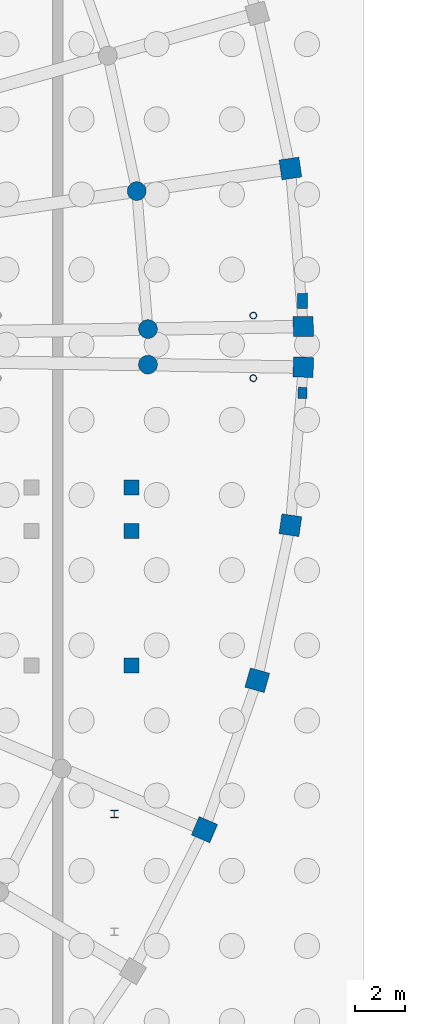
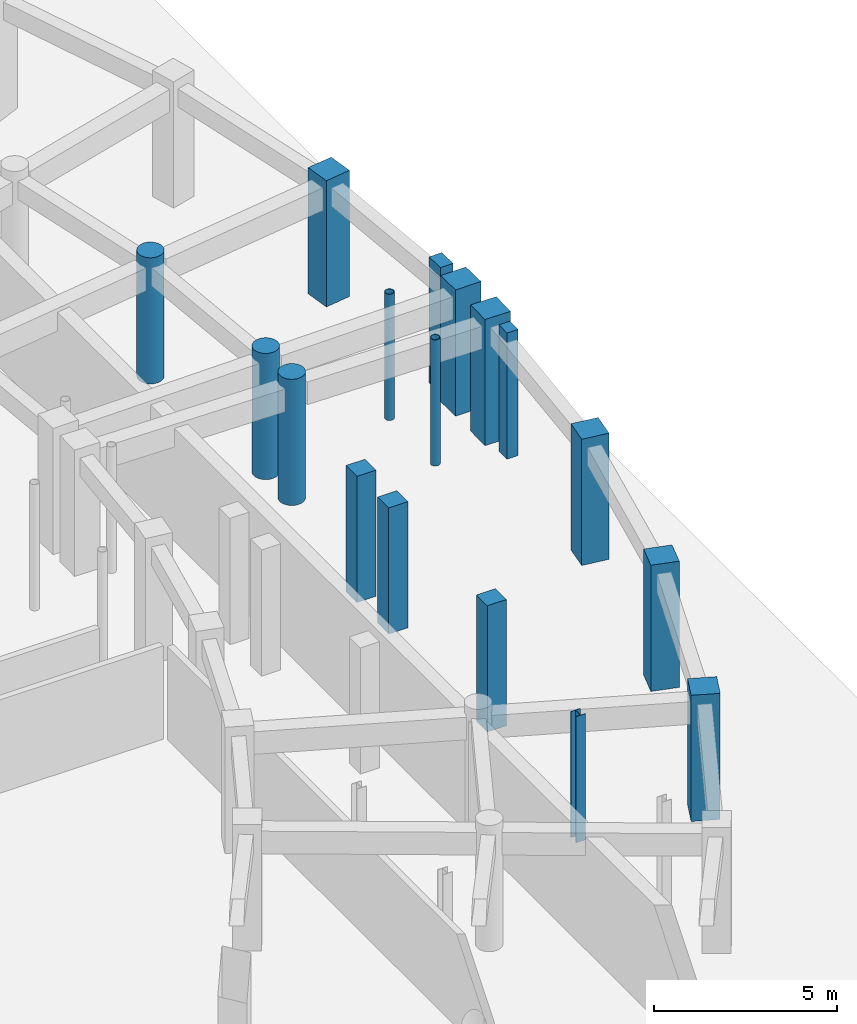
# One storey, part 16 of 33: 17 columns.
"""IFC4 building model written with IfcOpenShell, lengths in metres."""

from ifc_helpers import new_model, si_unit, direction, frame, origin, origin_2d, place, context, subcontext, project, spatial, rectangle, circle, hollow_circle, i_section, extrude, material, material_profile, profile_set, type_object, element, save


model = new_model("IFC4")

# Units and contexts
model_context = context("Model", 3, precision=1e-05, world=origin(), true_north=direction((0.0, 1.0)))
body_context = subcontext(model_context, "Body", "Model", "MODEL_VIEW")
ifc_project = project(units=[si_unit("LENGTHUNIT", "METRE"), si_unit("AREAUNIT", "SQUARE_METRE"), si_unit("VOLUMEUNIT", "CUBIC_METRE"), si_unit("PLANEANGLEUNIT", "RADIAN"), si_unit("MASSUNIT", "GRAM", prefix="KILO")], contexts=[model_context])

# Site, building, storey
site_placement = place(None, origin())
site = spatial("IfcSite", under=ifc_project, at=site_placement, CompositionType="ELEMENT")
building_placement = place(site_placement, origin())
building = spatial("IfcBuilding", under=site, at=building_placement, Name="Saryqyr Civic Hall", CompositionType="ELEMENT")
storey_placement = place(building_placement, frame((0.0, 0.0, -4.199951171875)))
storey = spatial("IfcBuildingStorey", under=building, at=storey_placement, Name="B1", CompositionType="ELEMENT", Elevation=-4.199951171875)

# Columns
ifc_material_1 = material(Name="Steel S355", Category="steel")
ifc_material_profile_1 = material_profile(ifc_material_1, hollow_circle(Radius=0.136474609375, WallThickness=0.01611328125, at=origin_2d()), Name="CHS 273x16")
ifc_profile_set_1 = profile_set([ifc_material_profile_1], Name="Steel S355")
column_type_1 = type_object("IfcColumnType", Name="STR-COL-CHS273-S355", PredefinedType="COLUMN", material=ifc_profile_set_1)
for number, where, z_axis, x_axis, name in (
    (1, (104.0, 82.75, 0.0), (0.0, 0.0, 1.0), (1.0, 0.0, 0.0), "Column BRCOL-BR-E-2-B1"),
    (2, (104.0, 85.25, 0.0), (0.0, 0.0, 1.0), (1.0, 0.0, 0.0), "Column BRCOL-BR-E-3-B1"),
):
    element("IfcColumn", number, at=place(storey_placement, frame(where, z_axis=z_axis, x_axis=x_axis)), inside=storey, type_object=column_type_1, Name=name, PredefinedType="COLUMN", context=body_context, shape_type="SweptSolid", body=[
        extrude(hollow_circle(Radius=0.136474609375, WallThickness=0.01611328125, at=origin_2d()), origin(), (0.0, 0.0, 1.0), 4.199951171875),
    ])
ifc_material_profile_2 = material_profile(ifc_material_1, i_section(OverallWidth=0.300048828125, OverallDepth=0.2900390625, WebThickness=0.008544921875, FlangeThickness=0.013916015625, at=origin_2d()), Name="HEA 300")
ifc_profile_set_2 = profile_set([ifc_material_profile_2], Name="Steel S355")
column_type_2 = type_object("IfcColumnType", Name="STR-COL-HEA300-S355", PredefinedType="COLUMN", material=ifc_profile_set_2)
column_1_placement = place(storey_placement, frame((98.449951171875, 65.35009765625, 0.0), z_axis=(0.0, 0.0, 1.0), x_axis=(1.0, 0.0, 0.0)))
element("IfcColumn", 3, at=column_1_placement, inside=storey, type_object=column_type_2, Name="Column RGV5-COL-3-B1", PredefinedType="COLUMN", context=body_context, shape_type="SweptSolid", body=[
    extrude(i_section(OverallWidth=0.300048828125, OverallDepth=0.2900390625, WebThickness=0.008544921875, FlangeThickness=0.013916015625, at=origin_2d()), origin(), (0.0, 0.0, 1.0), 4.199951171875),
])
ifc_material_2 = material(Name="Concrete C40/50", Category="concrete")
ifc_material_profile_3 = material_profile(ifc_material_2, rectangle(XDim=0.60009765625, YDim=0.60009765625, at=origin_2d()), Name="RC 600x600")
ifc_profile_set_3 = profile_set([ifc_material_profile_3], Name="Concrete C40/50")
column_type_3 = type_object("IfcColumnType", Name="STR-COL-RC600-C40", PredefinedType="COLUMN", material=ifc_profile_set_3)
for number, where, z_axis, x_axis, name in (
    (4, (99.139892578125, 71.27490234375, 0.0), (0.0, 0.0, 1.0), (1.0, 0.0, 0.0), "Column ST-5-SCOL-TRMA-B1"),
    (5, (99.139892578125, 76.64990234375, 0.0), (0.0, 0.0, 1.0), (1.0, 0.0, 0.0), "Column ST-5-SCOL-LND1A-B1"),
    (6, (99.139892578125, 78.3798828125, 0.0), (0.0, 0.0, 1.0), (1.0, 0.0, 0.0), "Column ST-5-SCOL-LND2A-B1"),
):
    element("IfcColumn", number, at=place(storey_placement, frame(where, z_axis=z_axis, x_axis=x_axis)), inside=storey, type_object=column_type_3, Name=name, PredefinedType="COLUMN", context=body_context, shape_type="SweptSolid", body=[
        extrude(rectangle(XDim=0.60009765625, YDim=0.60009765625, at=origin_2d()), origin(), (0.0, 0.0, 1.0), 4.199951171875),
    ])
ifc_material_profile_4 = material_profile(ifc_material_2, rectangle(XDim=0.800048828125, YDim=0.800048828125, at=origin_2d()), Name="RC 800x800")
ifc_profile_set_4 = profile_set([ifc_material_profile_4], Name="Concrete C40/50")
column_type_4 = type_object("IfcColumnType", Name="STR-COL-RC800-C40", PredefinedType="COLUMN", material=ifc_profile_set_4)
for number, where, z_axis, x_axis, name in (
    (7, (102.04931640625, 64.724365234375, 0.0), (0.0, 0.0, 1.0), (0.919410138581, -0.393300136124, 0.0), "Column V5-COL-OUT07-B1"),
    (8, (104.157958984375, 70.691162109375, 0.0), (0.0, 0.0, 1.0), (0.962407846499, -0.271608425858, 0.0), "Column V5-COL-OUT08-B1"),
    (9, (105.47998046875, 76.8798828125, 0.0), (0.0, 0.0, 1.0), (0.989374077068, -0.145392350643, 0.0), "Column V5-COL-OUT09-B1"),
    (10, (105.993408203125, 83.1875, 0.0), (0.0, 0.0, 1.0), (0.999862544538, -0.016579868188, 0.0), "Column V5-COL-OUT10-B1"),
    (11, (105.993408203125, 84.8125, 0.0), (0.0, 0.0, 1.0), (0.999862544538, 0.016579868188, 0.0), "Column V6-COL-OUT00-B1"),
    (12, (105.47998046875, 91.1201171875, 0.0), (0.0, 0.0, 1.0), (0.989399437751, 0.145219670077, 0.0), "Column V6-COL-OUT01-B1"),
):
    element("IfcColumn", number, at=place(storey_placement, frame(where, z_axis=z_axis, x_axis=x_axis)), inside=storey, type_object=column_type_4, Name=name, PredefinedType="COLUMN", context=body_context, shape_type="SweptSolid", body=[
        extrude(rectangle(XDim=0.800048828125, YDim=0.800048828125, at=origin_2d()), origin(), (0.0, 0.0, 1.0), 4.199951171875),
    ])
ifc_material_profile_5 = material_profile(ifc_material_2, circle(Radius=0.375, at=origin_2d()), Name="RC D750")
ifc_profile_set_5 = profile_set([ifc_material_profile_5], Name="Concrete C40/50")
column_type_5 = type_object("IfcColumnType", Name="STR-COL-RCD750-INT", PredefinedType="COLUMN", material=ifc_profile_set_5)
for number, where, z_axis, x_axis, name in (
    (13, (99.794189453125, 83.290283203125, 0.0), (0.0, 0.0, 1.0), (0.999862544538, -0.016579868188, 0.0), "Column V5-COL-MID10-B1"),
    (14, (99.794189453125, 84.709716796875, 0.0), (0.0, 0.0, 1.0), (0.999862544538, 0.016579868188, 0.0), "Column V6-COL-MID00-B1"),
    (15, (99.345703125, 90.218994140625, 0.0), (0.0, 0.0, 1.0), (0.989399437751, 0.145219670077, 0.0), "Column V6-COL-MID01-B1"),
):
    element("IfcColumn", number, at=place(storey_placement, frame(where, z_axis=z_axis, x_axis=x_axis)), inside=storey, type_object=column_type_5, Name=name, PredefinedType="COLUMN", context=body_context, shape_type="SweptSolid", body=[
        extrude(circle(Radius=0.375, at=origin_2d()), origin(), (0.0, 0.0, 1.0), 4.199951171875),
    ])
ifc_material_3 = material(Name="Concrete C35/45", Category="concrete")
ifc_material_profile_6 = material_profile(ifc_material_3, rectangle(XDim=0.35009765625, YDim=0.449951171875, at=origin_2d()), Name="RC 350x450")
ifc_profile_set_6 = profile_set([ifc_material_profile_6], Name="Concrete C35/45")
column_type_6 = type_object("IfcColumnType", Name="STR-PIL-RC350x450-EXT", PredefinedType="PILASTER", material=ifc_profile_set_6)
column_2_placement = place(storey_placement, frame((105.965576171875, 82.16162109375, 0.0), z_axis=(0.0, 0.0, 1.0), x_axis=(0.999862544538, -0.016579868188, 0.0)))
element("IfcColumn", 16, at=column_2_placement, inside=storey, type_object=column_type_6, Name="Column V5-PIL-10-B1", PredefinedType="PILASTER", context=body_context, shape_type="SweptSolid", body=[
    extrude(rectangle(XDim=0.35009765625, YDim=0.449951171875, at=origin_2d()), origin(), (0.0, 0.0, 1.0), 4.199951171875),
])
ifc_material_profile_7 = material_profile(ifc_material_2, rectangle(XDim=0.39990234375, YDim=0.60009765625, at=origin_2d()), Name="RC 400x600")
ifc_profile_set_7 = profile_set([ifc_material_profile_7], Name="Concrete C40/50")
column_type_7 = type_object("IfcColumnType", Name="STR-PIL-RC400x600-EXT", PredefinedType="PILASTER", material=ifc_profile_set_7)
column_3_placement = place(storey_placement, frame((105.965576171875, 85.83837890625, 0.0), z_axis=(0.0, 0.0, 1.0), x_axis=(0.999862544538, 0.016579868188, 0.0)))
element("IfcColumn", 17, at=column_3_placement, inside=storey, type_object=column_type_7, Name="Column V6-PIL-00-B1", PredefinedType="PILASTER", context=body_context, shape_type="SweptSolid", body=[
    extrude(rectangle(XDim=0.39990234375, YDim=0.60009765625, at=origin_2d()), origin(), (0.0, 0.0, 1.0), 4.199951171875),
])

save(model, "model.ifc")
